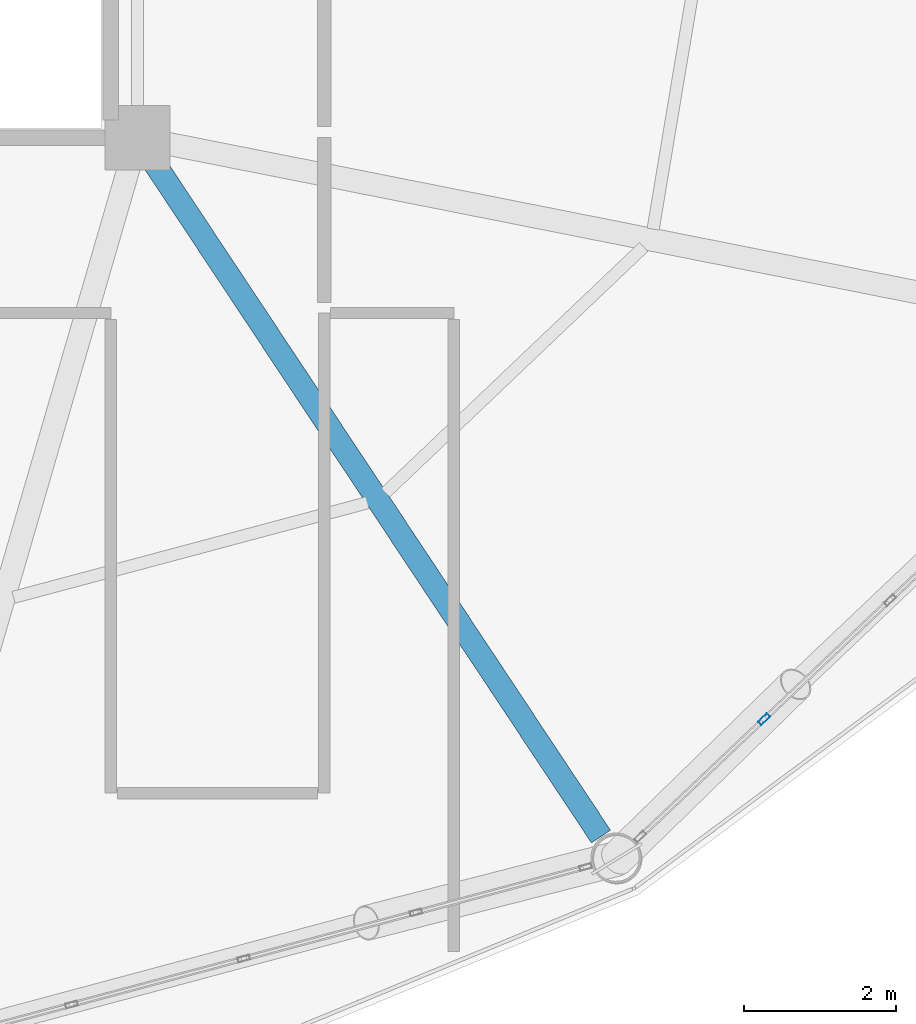
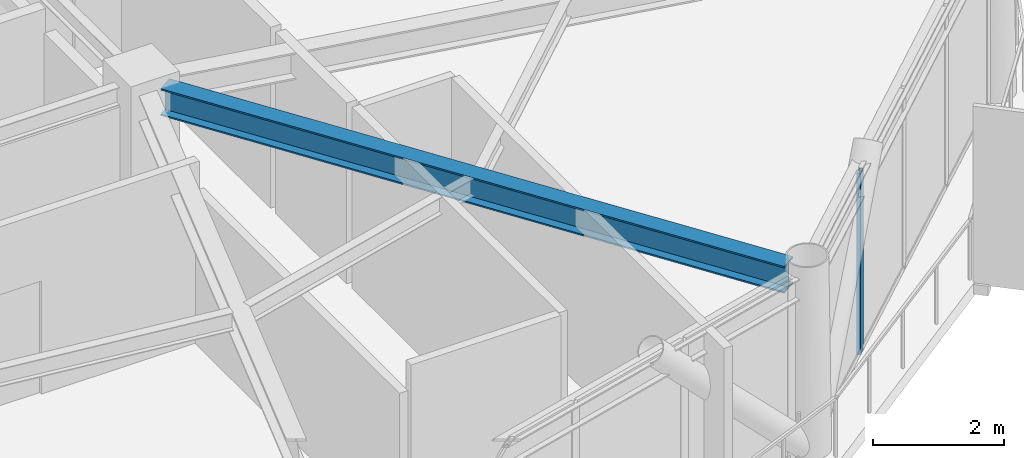
# One storey, part 10 of 29: 1 beam, 1 member, 1 element without a shape of its own.
"""IFC4 building model written with IfcOpenShell, lengths in metres."""

from ifc_helpers import new_model, si_unit, direction, frame, origin, origin_2d, place, context, subcontext, project, spatial, hollow_rectangle, i_section, extrude, material, layer, layer_set, material_profile, profile_set, type_object, element, aggregate, save


model = new_model("IFC4")

# Units and contexts
model_context = context("Model", 3, precision=1e-05, world=origin(), true_north=direction((0.0, 1.0)))
body_context = subcontext(model_context, "Body", "Model", "MODEL_VIEW")
ifc_project = project(units=[si_unit("LENGTHUNIT", "METRE"), si_unit("AREAUNIT", "SQUARE_METRE"), si_unit("VOLUMEUNIT", "CUBIC_METRE"), si_unit("PLANEANGLEUNIT", "RADIAN"), si_unit("MASSUNIT", "GRAM", prefix="KILO")], contexts=[model_context])

# Site, building, storey
site_placement = place(None, origin())
site = spatial("IfcSite", under=ifc_project, at=site_placement, CompositionType="ELEMENT")
building_placement = place(site_placement, origin())
building = spatial("IfcBuilding", under=site, at=building_placement, Name="Varnakorn Sky Granary", CompositionType="ELEMENT")
storey_placement = place(building_placement, frame((0.0, 0.0, 182.39990234375)))
storey = spatial("IfcBuildingStorey", under=building, at=storey_placement, Name="L45", CompositionType="ELEMENT", Elevation=182.39990234375)

# Beam
ifc_material_1 = material(Name="Steel S355JR", Category="steel")
ifc_material_profile_1 = material_profile(ifc_material_1, i_section(OverallWidth=0.300048828125, OverallDepth=0.5, WebThickness=0.014404296875, FlangeThickness=0.028076171875, at=origin_2d()), Name="HE 500 B")
ifc_profile_set_1 = profile_set([ifc_material_profile_1], Name="Steel S355JR")
beam_type = type_object("IfcBeamType", Name="BM-RAD-Z4", PredefinedType="BEAM", material=ifc_profile_set_1)
beam_placement = place(storey_placement, frame((8.57373046875, -6.9375, 3.110107421875), z_axis=(0.552715871475, -0.833369765122, 0.0), x_axis=(0.833369765122, 0.552715871475, 0.0)))
element("IfcBeam", 1, at=beam_placement, inside=storey, type_object=beam_type, Name="Radial Floor Girder RG11 L45", PredefinedType="BEAM", context=body_context, shape_type="SweptSolid", body=[
    extrude(i_section(OverallWidth=0.300048828125, OverallDepth=0.5, WebThickness=0.014404296875, FlangeThickness=0.028076171875, at=origin_2d()), origin(), (0.0, 0.0, 1.0), 10.598876953125),
])

# Curtain wall, member
ifc_material_2 = material(Name="Anodised Bronze Aluminium Alloy 6063-T6", Category="aluminium")
ifc_layer = layer(ifc_material_2, 0.169921875, Name="Anodised Bronze Aluminium Alloy 6063-T6")
ifc_layer_set = layer_set([ifc_layer], Name="Anodised Bronze Aluminium Alloy 6063-T6")
curtain_wall_type = type_object("IfcCurtainWallType", Name="CW-LAB-1", PredefinedType="USERDEFINED", material=ifc_layer_set)
curtain_wall_placement = place(storey_placement, origin())
curtain_wall = element("IfcCurtainWall", 2, at=curtain_wall_placement, inside=storey, type_object=curtain_wall_type, Name="Unitised Curtain Wall CW5 CW-L45-B11", ObjectType="CURTAIN WALL", PredefinedType="USERDEFINED")
ifc_material_profile_2 = material_profile(ifc_material_2, hollow_rectangle(XDim=0.06494140625, YDim=0.159912109375, WallThickness=0.00341796875, at=origin_2d()), Name="ALU MULL 65x160")
ifc_profile_set_2 = profile_set([ifc_material_profile_2], Name="Anodised Bronze Aluminium Alloy 6063-T6")
member_type = type_object("IfcMemberType", Name="CW-LAB-1-MULL", PredefinedType="MULLION", material=ifc_profile_set_2)
member_placement = place(storey_placement, frame((16.5732421875, -14.23095703125, 0.0), z_axis=(0.0, 0.0, 1.0), x_axis=(0.687692477005, -0.726002105418, 0.0)))
member = element("IfcMember", 3, at=member_placement, type_object=member_type, Name="CW5 mullion 4", PredefinedType="MULLION", context=body_context, shape_type="SweptSolid", body=[
    extrude(hollow_rectangle(XDim=0.06494140625, YDim=0.159912109375, WallThickness=0.00341796875, at=origin_2d()), origin(), (0.0, 0.0, 1.0), 3.360107421875),
])
aggregate(curtain_wall, [member])

save(model, "model.ifc")
